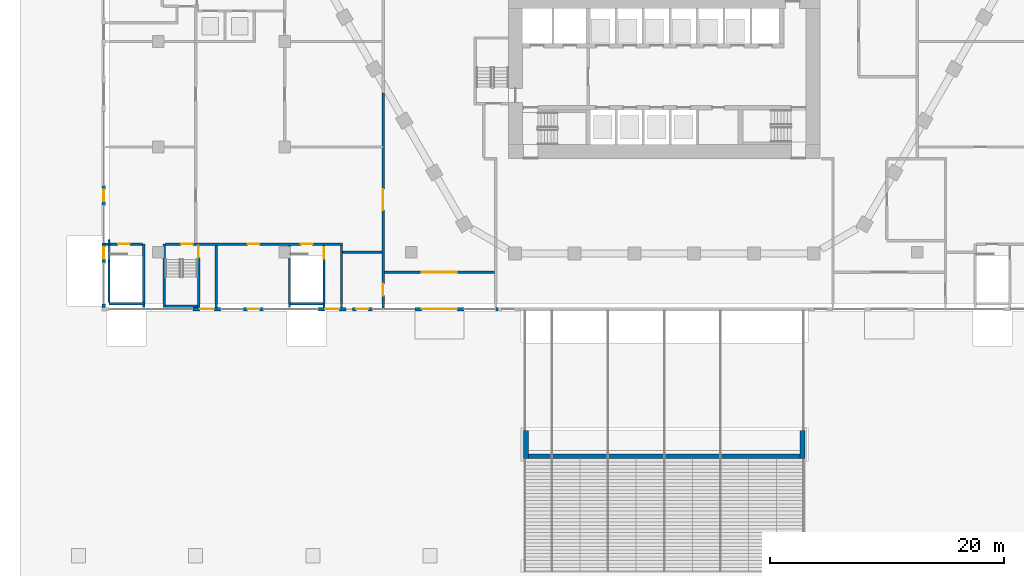
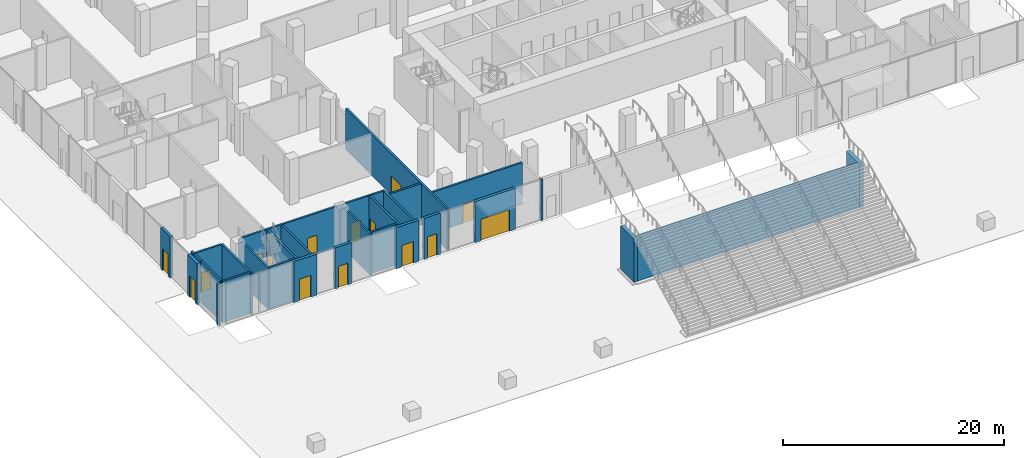
# One storey, part 20 of 57: 30 walls, 16 doors, 16 openings.
"""IFC4 building model written with IfcOpenShell, lengths in metres."""

from ifc_helpers import new_model, si_unit, direction, frame, frame_2d, origin, place, context, subcontext, project, spatial, rectangle, extrude, material, layer, layer_set, type_object, element, fill, save


model = new_model("IFC4")

# Units and contexts
model_context = context("Model", 3, precision=1e-05, world=origin(), true_north=direction((0.0, 1.0)))
body_context = subcontext(model_context, "Body", "Model", "MODEL_VIEW")
ifc_project = project(units=[si_unit("LENGTHUNIT", "METRE"), si_unit("AREAUNIT", "SQUARE_METRE"), si_unit("VOLUMEUNIT", "CUBIC_METRE"), si_unit("PLANEANGLEUNIT", "RADIAN"), si_unit("MASSUNIT", "GRAM", prefix="KILO")], contexts=[model_context])

# Site, building, storey
site_placement = place(None, origin())
site = spatial("IfcSite", under=ifc_project, at=site_placement, CompositionType="ELEMENT")
building_placement = place(site_placement, origin())
building = spatial("IfcBuilding", under=site, at=building_placement, Name="Beryl Residences", CompositionType="ELEMENT")
storey_placement = place(building_placement, origin())
storey = spatial("IfcBuildingStorey", under=building, at=storey_placement, Name="L00", CompositionType="ELEMENT", Elevation=0.0)

# Wall, opening, door
ifc_material_1 = material(Name="Composite metal panel with mineral wool insulation")
ifc_layer_1 = layer(ifc_material_1, 0.300048828125)
ifc_layer_set_1 = layer_set([ifc_layer_1], Name="ES1 pale metal composite panel wall 300 mm")
wall_type_1 = type_object("IfcWallType", Name="ES1 pale metal composite panel wall 300 mm", PredefinedType="SOLIDWALL", material=ifc_layer_set_1)
wall_1_placement = place(storey_placement, frame((-40.25, -31.85009765625, 0.0), z_axis=(0.0, 0.0, 1.0), x_axis=(1.0, 0.0, 0.0)))
wall_1 = element("IfcWall", 1, at=wall_1_placement, inside=storey, type_object=wall_type_1, Name="ES1 entrance wall L00 S", PredefinedType="SOLIDWALL", context=body_context, shape_type="SweptSolid", body=[
    extrude(rectangle(XDim=2.39990234375, YDim=0.300048828125, at=frame_2d((1.199951171875, 0.0))), origin(), (0.0, 0.0, 1.0), 4.550048828125),
])
opening_1_placement = place(wall_1_placement, frame((1.800048828125, 0.0, 0.0), z_axis=(0.0, 0.0, 1.0), x_axis=(-1.0, 0.0, 0.0)))
opening_1 = element("IfcOpeningElement", 2, at=opening_1_placement, cuts=wall_1, Name="Opening XD1", PredefinedType="OPENING", context=body_context, shape_type="SweptSolid", body=[
    extrude(rectangle(XDim=1.199951171875, YDim=2.39990234375, at=frame_2d((0.60009765625, 1.199951171875))), frame((0.0, 0.159912109375, 0.0), z_axis=(0.0, -1.0, 0.0), x_axis=(1.0, 0.0, 0.0)), (0.0, 0.0, 1.0), 0.320068359375),
])
ifc_material_2 = material(Name="Galvanised steel", Category="steel")
door_type_1 = type_object("IfcDoorType", Name="XD1 exit door 1200 x 2400 mm", OperationType="SINGLE_SWING_RIGHT", PredefinedType="DOOR", material=ifc_material_2)
door_1_placement = place(opening_1_placement, origin())
door_1 = element("IfcDoor", 3, at=door_1_placement, inside=storey, type_object=door_type_1, Name="XD1 exit door L00 S", OperationType="SINGLE_SWING_RIGHT", OverallHeight=2.39990234375, OverallWidth=1.199951171875, PredefinedType="DOOR", context=body_context, shape_type="SweptSolid", body=[
    extrude(rectangle(XDim=1.199951171875, YDim=2.39990234375, at=frame_2d((0.60009765625, 1.199951171875))), frame((0.0, 0.02490234375, 0.0), z_axis=(0.0, -1.0, 0.0), x_axis=(1.0, 0.0, 0.0)), (0.0, 0.0, 1.0), 0.050048828125),
])
fill(opening_1, door_1)

wall_2_placement = place(storey_placement, frame((-29.550048828125, -31.85009765625, 0.0), z_axis=(0.0, 0.0, 1.0), x_axis=(1.0, 0.0, 0.0)))
wall_2 = element("IfcWall", 4, at=wall_2_placement, inside=storey, type_object=wall_type_1, Name="ES1 entrance wall L00 S", PredefinedType="SOLIDWALL", context=body_context, shape_type="SweptSolid", body=[
    extrude(rectangle(XDim=2.400146484375, YDim=0.300048828125, at=frame_2d((1.2001953125, 0.0))), origin(), (0.0, 0.0, 1.0), 4.550048828125),
])
opening_2_placement = place(wall_2_placement, frame((1.800048828125, 0.0, 0.0), z_axis=(0.0, 0.0, 1.0), x_axis=(-1.0, 0.0, 0.0)))
opening_2 = element("IfcOpeningElement", 5, at=opening_2_placement, cuts=wall_2, Name="Opening XD1", PredefinedType="OPENING", context=body_context, shape_type="SweptSolid", body=[
    extrude(rectangle(XDim=1.199951171875, YDim=2.39990234375, at=frame_2d((0.60009765625, 1.199951171875))), frame((0.0, 0.159912109375, 0.0), z_axis=(0.0, -1.0, 0.0), x_axis=(1.0, 0.0, 0.0)), (0.0, 0.0, 1.0), 0.320068359375),
])
door_2_placement = place(opening_2_placement, origin())
door_2 = element("IfcDoor", 6, at=door_2_placement, inside=storey, type_object=door_type_1, Name="XD1 exit door L00 S", OperationType="SINGLE_SWING_RIGHT", OverallHeight=2.39990234375, OverallWidth=1.199951171875, PredefinedType="DOOR", context=body_context, shape_type="SweptSolid", body=[
    extrude(rectangle(XDim=1.199951171875, YDim=2.39990234375, at=frame_2d((0.60009765625, 1.199951171875))), frame((0.0, 0.02490234375, 0.0), z_axis=(0.0, -1.0, 0.0), x_axis=(1.0, 0.0, 0.0)), (0.0, 0.0, 1.0), 0.050048828125),
])
fill(opening_2, door_2)

wall_3_placement = place(storey_placement, frame((-21.300048828125, -31.85009765625, 0.0), z_axis=(0.0, 0.0, 1.0), x_axis=(1.0, 0.0, 0.0)))
wall_3 = element("IfcWall", 7, at=wall_3_placement, inside=storey, type_object=wall_type_1, Name="ES1 entrance wall L00 S", PredefinedType="SOLIDWALL", context=body_context, shape_type="SweptSolid", body=[
    extrude(rectangle(XDim=4.199951171875, YDim=0.300048828125, at=frame_2d((2.10009765625, 0.0))), origin(), (0.0, 0.0, 1.0), 4.550048828125),
])
opening_3_placement = place(wall_3_placement, frame((0.60009765625, 0.0, 0.0)))
opening_3 = element("IfcOpeningElement", 8, at=opening_3_placement, cuts=wall_3, Name="Opening ED1", PredefinedType="OPENING", context=body_context, shape_type="SweptSolid", body=[
    extrude(rectangle(XDim=3.0, YDim=2.39990234375, at=frame_2d((1.5, 1.199951171875))), frame((0.0, 0.159912109375, 0.0), z_axis=(0.0, -1.0, 0.0), x_axis=(1.0, 0.0, 0.0)), (0.0, 0.0, 1.0), 0.320068359375),
])
ifc_material_3 = material(Name="Aluminium and clear glass", Category="aluminium")
door_type_2 = type_object("IfcDoorType", Name="ED1 entrance sliding door 3000 x 2400 mm", OperationType="DOUBLE_DOOR_SLIDING", PredefinedType="DOOR", material=ifc_material_3)
door_3_placement = place(opening_3_placement, origin())
door_3 = element("IfcDoor", 9, at=door_3_placement, inside=storey, type_object=door_type_2, Name="ED1 entrance door L00 S", OperationType="DOUBLE_DOOR_SLIDING", OverallHeight=2.39990234375, OverallWidth=3.0, PredefinedType="DOOR", context=body_context, shape_type="SweptSolid", body=[
    extrude(rectangle(XDim=3.0, YDim=2.39990234375, at=frame_2d((1.5, 1.199951171875))), frame((0.0, 0.02490234375, 0.0), z_axis=(0.0, -1.0, 0.0), x_axis=(1.0, 0.0, 0.0)), (0.0, 0.0, 1.0), 0.050048828125),
])
fill(opening_3, door_3)

# Wall
wall_4_placement = place(storey_placement, frame((-14.39990234375, -31.85009765625, 0.0), z_axis=(0.0, 0.0, 1.0), x_axis=(1.0, 0.0, 0.0)))
element("IfcWall", 10, at=wall_4_placement, inside=storey, type_object=wall_type_1, Name="ES1 external wall L00 S 14", PredefinedType="SOLIDWALL", context=body_context, shape_type="SweptSolid", body=[
    extrude(rectangle(XDim=0.199951171875, YDim=0.300048828125, at=frame_2d((0.10009765625, 0.0))), origin(), (0.0, 0.0, 1.0), 4.550048828125),
])

# Wall, opening, door
wall_5_placement = place(storey_placement, frame((-47.85009765625, -26.199951171875, 0.0), z_axis=(0.0, 0.0, 1.0), x_axis=(0.0, -1.0, 0.0)))
wall_5 = element("IfcWall", 11, at=wall_5_placement, inside=storey, type_object=wall_type_1, Name="ES1 entrance wall L00 W", PredefinedType="SOLIDWALL", context=body_context, shape_type="SweptSolid", body=[
    extrude(rectangle(XDim=1.699951171875, YDim=0.300048828125, at=frame_2d((0.85009765625, 0.0))), origin(), (0.0, 0.0, 1.0), 4.550048828125),
])
opening_4_placement = place(wall_5_placement, frame((1.35009765625, 0.0, 0.0), z_axis=(0.0, 0.0, 1.0), x_axis=(-1.0, 0.0, 0.0)))
opening_4 = element("IfcOpeningElement", 12, at=opening_4_placement, cuts=wall_5, Name="Opening XD2", PredefinedType="OPENING", context=body_context, shape_type="SweptSolid", body=[
    extrude(rectangle(XDim=1.0, YDim=2.39990234375, at=frame_2d((0.5, 1.199951171875))), frame((0.0, 0.159912109375, 0.0), z_axis=(0.0, -1.0, 0.0), x_axis=(1.0, 0.0, 0.0)), (0.0, 0.0, 1.0), 0.320068359375),
])
ifc_material_4 = material(Name="Galvanised steel", Category="steel")
door_type_3 = type_object("IfcDoorType", Name="XD2 exit door 1000 x 2400 mm", OperationType="SINGLE_SWING_RIGHT", PredefinedType="DOOR", material=ifc_material_4)
door_4_placement = place(opening_4_placement, origin())
door_4 = element("IfcDoor", 13, at=door_4_placement, inside=storey, type_object=door_type_3, Name="XD2 exit door L00 W", OperationType="SINGLE_SWING_RIGHT", OverallHeight=2.39990234375, OverallWidth=1.0, PredefinedType="DOOR", context=body_context, shape_type="SweptSolid", body=[
    extrude(rectangle(XDim=1.0, YDim=2.39990234375, at=frame_2d((0.5, 1.199951171875))), frame((0.0, 0.02490234375, 0.0), z_axis=(0.0, -1.0, 0.0), x_axis=(1.0, 0.0, 0.0)), (0.0, 0.0, 1.0), 0.050048828125),
])
fill(opening_4, door_4)

# Wall
wall_6_placement = place(storey_placement, frame((-47.85009765625, -31.39990234375, 0.0), z_axis=(0.0, 0.0, 1.0), x_axis=(0.0, -1.0, 0.0)))
element("IfcWall", 14, at=wall_6_placement, inside=storey, type_object=wall_type_1, Name="ES1 external wall L00 W 23", PredefinedType="SOLIDWALL", context=body_context, shape_type="SweptSolid", body=[
    extrude(rectangle(XDim=0.300048828125, YDim=0.300048828125, at=frame_2d((0.14990234375, 0.0))), origin(), (0.0, 0.0, 1.0), 4.550048828125),
])

# Wall, opening, door
ifc_material_5 = material(Name="Aluminium framed insulated wall", Category="aluminium")
ifc_layer_2 = layer(ifc_material_5, 0.14990234375)
ifc_layer_set_2 = layer_set([ifc_layer_2], Name="GW1 glazed door wall 150 mm")
wall_type_2 = type_object("IfcWallType", Name="GW1 glazed door wall 150 mm", PredefinedType="SOLIDWALL", material=ifc_layer_set_2)
wall_7_placement = place(storey_placement, frame((-35.925048828125, -31.85009765625, 0.0), z_axis=(0.0, 0.0, 1.0), x_axis=(1.0, 0.0, 0.0)))
wall_7 = element("IfcWall", 15, at=wall_7_placement, inside=storey, type_object=wall_type_2, Name="GW1 shopfront door wall L00 S", PredefinedType="SOLIDWALL", context=body_context, shape_type="SweptSolid", body=[
    extrude(rectangle(XDim=1.699951171875, YDim=0.300048828125, at=frame_2d((0.85009765625, 0.0))), origin(), (0.0, 0.0, 1.0), 4.550048828125),
])
opening_5_placement = place(wall_7_placement, frame((1.35009765625, 0.0, 0.0), z_axis=(0.0, 0.0, 1.0), x_axis=(-1.0, 0.0, 0.0)))
opening_5 = element("IfcOpeningElement", 16, at=opening_5_placement, cuts=wall_7, Name="Opening ED4", PredefinedType="OPENING", context=body_context, shape_type="SweptSolid", body=[
    extrude(rectangle(XDim=1.0, YDim=2.39990234375, at=frame_2d((0.5, 1.199951171875))), frame((0.0, 0.159912109375, 0.0), z_axis=(0.0, -1.0, 0.0), x_axis=(1.0, 0.0, 0.0)), (0.0, 0.0, 1.0), 0.320068359375),
])
ifc_material_6 = material(Name="Aluminium and clear glass", Category="aluminium")
door_type_4 = type_object("IfcDoorType", Name="ED4 street door 1000 x 2400 mm", OperationType="SINGLE_SWING_RIGHT", PredefinedType="DOOR", material=ifc_material_6)
door_5_placement = place(opening_5_placement, origin())
door_5 = element("IfcDoor", 17, at=door_5_placement, inside=storey, type_object=door_type_4, Name="ED4 street door L00 S", OperationType="SINGLE_SWING_RIGHT", OverallHeight=2.39990234375, OverallWidth=1.0, PredefinedType="DOOR", context=body_context, shape_type="SweptSolid", body=[
    extrude(rectangle(XDim=1.0, YDim=2.39990234375, at=frame_2d((0.5, 1.199951171875))), frame((0.0, 0.02490234375, 0.0), z_axis=(0.0, -1.0, 0.0), x_axis=(1.0, 0.0, 0.0)), (0.0, 0.0, 1.0), 0.050048828125),
])
fill(opening_5, door_5)

wall_8_placement = place(storey_placement, frame((-26.625, -31.85009765625, 0.0), z_axis=(0.0, 0.0, 1.0), x_axis=(1.0, 0.0, 0.0)))
wall_8 = element("IfcWall", 18, at=wall_8_placement, inside=storey, type_object=wall_type_2, Name="GW1 shopfront door wall L00 S", PredefinedType="SOLIDWALL", context=body_context, shape_type="SweptSolid", body=[
    extrude(rectangle(XDim=1.699951171875, YDim=0.300048828125, at=frame_2d((0.85009765625, 0.0))), origin(), (0.0, 0.0, 1.0), 4.550048828125),
])
opening_6_placement = place(wall_8_placement, frame((1.35009765625, 0.0, 0.0), z_axis=(0.0, 0.0, 1.0), x_axis=(-1.0, 0.0, 0.0)))
opening_6 = element("IfcOpeningElement", 19, at=opening_6_placement, cuts=wall_8, Name="Opening ED4", PredefinedType="OPENING", context=body_context, shape_type="SweptSolid", body=[
    extrude(rectangle(XDim=1.0, YDim=2.39990234375, at=frame_2d((0.5, 1.199951171875))), frame((0.0, 0.159912109375, 0.0), z_axis=(0.0, -1.0, 0.0), x_axis=(1.0, 0.0, 0.0)), (0.0, 0.0, 1.0), 0.320068359375),
])
door_6_placement = place(opening_6_placement, origin())
door_6 = element("IfcDoor", 20, at=door_6_placement, inside=storey, type_object=door_type_4, Name="ED4 street door L00 S", OperationType="SINGLE_SWING_RIGHT", OverallHeight=2.39990234375, OverallWidth=1.0, PredefinedType="DOOR", context=body_context, shape_type="SweptSolid", body=[
    extrude(rectangle(XDim=1.0, YDim=2.39990234375, at=frame_2d((0.5, 1.199951171875))), frame((0.0, 0.02490234375, 0.0), z_axis=(0.0, -1.0, 0.0), x_axis=(1.0, 0.0, 0.0)), (0.0, 0.0, 1.0), 0.050048828125),
])
fill(opening_6, door_6)

wall_9_placement = place(storey_placement, frame((-47.85009765625, -21.300048828125, 0.0), z_axis=(0.0, 0.0, 1.0), x_axis=(0.0, -1.0, 0.0)))
wall_9 = element("IfcWall", 21, at=wall_9_placement, inside=storey, type_object=wall_type_2, Name="GW1 shopfront door wall L00 W", PredefinedType="SOLIDWALL", context=body_context, shape_type="SweptSolid", body=[
    extrude(rectangle(XDim=1.699951171875, YDim=0.300048828125, at=frame_2d((0.85009765625, 0.0))), origin(), (0.0, 0.0, 1.0), 4.550048828125),
])
opening_7_placement = place(wall_9_placement, frame((1.35009765625, 0.0, 0.0), z_axis=(0.0, 0.0, 1.0), x_axis=(-1.0, 0.0, 0.0)))
opening_7 = element("IfcOpeningElement", 22, at=opening_7_placement, cuts=wall_9, Name="Opening ED4", PredefinedType="OPENING", context=body_context, shape_type="SweptSolid", body=[
    extrude(rectangle(XDim=1.0, YDim=2.39990234375, at=frame_2d((0.5, 1.199951171875))), frame((0.0, 0.159912109375, 0.0), z_axis=(0.0, -1.0, 0.0), x_axis=(1.0, 0.0, 0.0)), (0.0, 0.0, 1.0), 0.320068359375),
])
door_7_placement = place(opening_7_placement, origin())
door_7 = element("IfcDoor", 23, at=door_7_placement, inside=storey, type_object=door_type_4, Name="ED4 street door L00 W", OperationType="SINGLE_SWING_RIGHT", OverallHeight=2.39990234375, OverallWidth=1.0, PredefinedType="DOOR", context=body_context, shape_type="SweptSolid", body=[
    extrude(rectangle(XDim=1.0, YDim=2.39990234375, at=frame_2d((0.5, 1.199951171875))), frame((0.0, 0.02490234375, 0.0), z_axis=(0.0, -1.0, 0.0), x_axis=(1.0, 0.0, 0.0)), (0.0, 0.0, 1.0), 0.050048828125),
])
fill(opening_7, door_7)

ifc_material_7 = material(Name="Double stud gypsum board wall")
ifc_layer_3 = layer(ifc_material_7, 0.199951171875)
ifc_layer_set_3 = layer_set([ifc_layer_3], Name="PT4 corridor wall 200 mm double stud")
wall_type_3 = type_object("IfcWallType", Name="PT4 corridor wall 200 mm double stud", PredefinedType="PARTITIONING", material=ifc_layer_set_3)
wall_10_placement = place(storey_placement, frame((-23.89990234375, -28.699951171875, 0.0), z_axis=(0.0, 0.0, 1.0), x_axis=(1.0, 0.0, 0.0)))
wall_10 = element("IfcWall", 24, at=wall_10_placement, inside=storey, type_object=wall_type_3, Name="Wall PT4 L00 001", PredefinedType="PARTITIONING", context=body_context, shape_type="SweptSolid", body=[
    extrude(rectangle(XDim=9.39990234375, YDim=0.199951171875, at=frame_2d((4.699951171875, 0.0))), origin(), (0.0, 0.0, 1.0), 4.550048828125),
])
opening_8_placement = place(wall_10_placement, frame((3.199951171875, 0.0, 0.0)))
opening_8 = element("IfcOpeningElement", 25, at=opening_8_placement, cuts=wall_10, Name="Opening ED2", PredefinedType="OPENING", context=body_context, shape_type="SweptSolid", body=[
    extrude(rectangle(XDim=3.0, YDim=2.10009765625, at=frame_2d((1.5, 1.050048828125))), frame((0.0, 0.10986328125, 0.0), z_axis=(0.0, -1.0, 0.0), x_axis=(1.0, 0.0, 0.0)), (0.0, 0.0, 1.0), 0.219970703125),
])
ifc_material_8 = material(Name="Glazed doors in aluminium frame", Category="aluminium")
door_type_5 = type_object("IfcDoorType", Name="GLD1 glazed double door 3000 x 2100 mm", OperationType="DOUBLE_DOOR_SINGLE_SWING", PredefinedType="DOOR", material=ifc_material_8)
door_8_placement = place(opening_8_placement, origin())
door_8 = element("IfcDoor", 26, at=door_8_placement, inside=storey, type_object=door_type_5, Name="Door ED2 L00 001", OperationType="DOUBLE_DOOR_SINGLE_SWING", OverallHeight=2.10009765625, OverallWidth=3.0, PredefinedType="DOOR", context=body_context, shape_type="SweptSolid", body=[
    extrude(rectangle(XDim=3.0, YDim=2.10009765625, at=frame_2d((1.5, 1.050048828125))), frame((0.0, 0.02490234375, 0.0), z_axis=(0.0, -1.0, 0.0), x_axis=(1.0, 0.0, 0.0)), (0.0, 0.0, 1.0), 0.050048828125),
])
fill(opening_8, door_8)

ifc_material_9 = material(Name="Concrete C40/50", Category="concrete")
ifc_layer_4 = layer(ifc_material_9, 0.199951171875)
ifc_layer_set_4 = layer_set([ifc_layer_4], Name="PT5 stair enclosure wall 200 mm reinforced concrete C40/50")
wall_type_4 = type_object("IfcWallType", Name="PT5 stair enclosure wall 200 mm reinforced concrete C40/50", PredefinedType="SOLIDWALL", material=ifc_layer_set_4)
wall_11_placement = place(storey_placement, frame((-47.699951171875, -26.300048828125, 0.0), z_axis=(0.0, 0.0, 1.0), x_axis=(1.0, 0.0, 0.0)))
wall_11 = element("IfcWall", 27, at=wall_11_placement, inside=storey, type_object=wall_type_4, Name="Wall PT5 L00 004", PredefinedType="SOLIDWALL", context=body_context, shape_type="SweptSolid", body=[
    extrude(rectangle(XDim=3.14990234375, YDim=0.199951171875, at=frame_2d((1.574951171875, 0.0))), origin(), (0.0, 0.0, 1.0), 4.550048828125),
])
opening_9_placement = place(wall_11_placement, frame((2.074951171875, 0.0, 0.0), z_axis=(0.0, 0.0, 1.0), x_axis=(-1.0, 0.0, 0.0)))
opening_9 = element("IfcOpeningElement", 28, at=opening_9_placement, cuts=wall_11, Name="Opening L00-49", PredefinedType="OPENING", context=body_context, shape_type="SweptSolid", body=[
    extrude(rectangle(XDim=1.0, YDim=2.10009765625, at=frame_2d((0.5, 1.050048828125))), frame((0.0, 0.10986328125, 0.0), z_axis=(0.0, -1.0, 0.0), x_axis=(1.0, 0.0, 0.0)), (0.0, 0.0, 1.0), 0.219970703125),
])
ifc_material_10 = material(Name="Steel door leaf in steel frame", Category="steel")
door_type_6 = type_object("IfcDoorType", Name="D15 stair door 1000 x 2100 mm", OperationType="SINGLE_SWING_LEFT", PredefinedType="DOOR", material=ifc_material_10)
door_9_placement = place(opening_9_placement, origin())
door_9 = element("IfcDoor", 29, at=door_9_placement, inside=storey, type_object=door_type_6, Name="Door L00-49 L00 001", OperationType="SINGLE_SWING_RIGHT", OverallHeight=2.10009765625, OverallWidth=1.0, PredefinedType="DOOR", context=body_context, shape_type="SweptSolid", body=[
    extrude(rectangle(XDim=1.0, YDim=2.10009765625, at=frame_2d((0.5, 1.050048828125))), frame((0.0, 0.02490234375, 0.0), z_axis=(0.0, -1.0, 0.0), x_axis=(1.0, 0.0, 0.0)), (0.0, 0.0, 1.0), 0.050048828125),
])
fill(opening_9, door_9)

# Wall, openings, doors
wall_12_placement = place(storey_placement, frame((-42.60009765625, -26.300048828125, 0.0), z_axis=(0.0, 0.0, 1.0), x_axis=(1.0, 0.0, 0.0)))
wall_12 = element("IfcWall", 30, at=wall_12_placement, inside=storey, type_object=wall_type_4, Name="Wall PT5 L00 005", PredefinedType="SOLIDWALL", context=body_context, shape_type="SweptSolid", body=[
    extrude(rectangle(XDim=15.150146484375, YDim=0.199951171875, at=frame_2d((7.5751953125, 0.0))), origin(), (0.0, 0.0, 1.0), 4.550048828125),
])
opening_10_placement = place(wall_12_placement, frame((8.02490234375, 0.0, 0.0), z_axis=(0.0, 0.0, 1.0), x_axis=(-1.0, 0.0, 0.0)))
opening_10 = element("IfcOpeningElement", 31, at=opening_10_placement, cuts=wall_12, Name="Opening L00-35", PredefinedType="OPENING", context=body_context, shape_type="SweptSolid", body=[
    extrude(rectangle(XDim=1.0, YDim=2.10009765625, at=frame_2d((0.5, 1.050048828125))), frame((0.0, 0.10986328125, 0.0), z_axis=(0.0, -1.0, 0.0), x_axis=(1.0, 0.0, 0.0)), (0.0, 0.0, 1.0), 0.219970703125),
])
opening_11_placement = place(wall_12_placement, frame((2.35400390625, 0.0, 0.0), z_axis=(0.0, 0.0, 1.0), x_axis=(-1.0, 0.0, 0.0)))
opening_11 = element("IfcOpeningElement", 32, at=opening_11_placement, cuts=wall_12, Name="Opening L00-43", PredefinedType="OPENING", context=body_context, shape_type="SweptSolid", body=[
    extrude(rectangle(XDim=1.0, YDim=2.10009765625, at=frame_2d((0.5, 1.050048828125))), frame((0.0, 0.10986328125, 0.0), z_axis=(0.0, -1.0, 0.0), x_axis=(1.0, 0.0, 0.0)), (0.0, 0.0, 1.0), 0.219970703125),
])
opening_12_placement = place(wall_12_placement, frame((12.574951171875, 0.0, 0.0), z_axis=(0.0, 0.0, 1.0), x_axis=(-1.0, 0.0, 0.0)))
opening_12 = element("IfcOpeningElement", 33, at=opening_12_placement, cuts=wall_12, Name="Opening L00-47", PredefinedType="OPENING", context=body_context, shape_type="SweptSolid", body=[
    extrude(rectangle(XDim=1.0, YDim=2.10009765625, at=frame_2d((0.5, 1.050048828125))), frame((0.0, 0.10986328125, 0.0), z_axis=(0.0, -1.0, 0.0), x_axis=(1.0, 0.0, 0.0)), (0.0, 0.0, 1.0), 0.219970703125),
])
door_10_placement = place(opening_11_placement, origin())
door_10 = element("IfcDoor", 34, at=door_10_placement, inside=storey, type_object=door_type_6, Name="Door L00-43 L00 001", OperationType="SINGLE_SWING_RIGHT", OverallHeight=2.10009765625, OverallWidth=1.0, PredefinedType="DOOR", context=body_context, shape_type="SweptSolid", body=[
    extrude(rectangle(XDim=1.0, YDim=2.10009765625, at=frame_2d((0.5, 1.050048828125))), frame((0.0, 0.02490234375, 0.0), z_axis=(0.0, -1.0, 0.0), x_axis=(1.0, 0.0, 0.0)), (0.0, 0.0, 1.0), 0.050048828125),
])
fill(opening_11, door_10)
door_11_placement = place(opening_12_placement, origin())
door_11 = element("IfcDoor", 35, at=door_11_placement, inside=storey, type_object=door_type_6, Name="Door L00-47 L00 001", OperationType="SINGLE_SWING_RIGHT", OverallHeight=2.10009765625, OverallWidth=1.0, PredefinedType="DOOR", context=body_context, shape_type="SweptSolid", body=[
    extrude(rectangle(XDim=1.0, YDim=2.10009765625, at=frame_2d((0.5, 1.050048828125))), frame((0.0, 0.02490234375, 0.0), z_axis=(0.0, -1.0, 0.0), x_axis=(1.0, 0.0, 0.0)), (0.0, 0.0, 1.0), 0.050048828125),
])
fill(opening_12, door_11)
ifc_material_11 = material(Name="Timber door leaf", Category="wood")
door_type_7 = type_object("IfcDoorType", Name="D9 corridor door 1000 x 2100 mm", OperationType="SINGLE_SWING_LEFT", PredefinedType="DOOR", material=ifc_material_11)
door_12_placement = place(opening_10_placement, origin())
door_12 = element("IfcDoor", 36, at=door_12_placement, inside=storey, type_object=door_type_7, Name="Door L00-35 L00 001", OperationType="SINGLE_SWING_RIGHT", OverallHeight=2.10009765625, OverallWidth=1.0, PredefinedType="DOOR", context=body_context, shape_type="SweptSolid", body=[
    extrude(rectangle(XDim=1.0, YDim=2.10009765625, at=frame_2d((0.5, 1.050048828125))), frame((0.0, 0.02490234375, 0.0), z_axis=(0.0, -1.0, 0.0), x_axis=(1.0, 0.0, 0.0)), (0.0, 0.0, 1.0), 0.050048828125),
])
fill(opening_10, door_12)

# Walls
for number, where, z_axis, x_axis, name in (
    (37, (-44.449951171875, -31.699951171875, 0.0), (0.0, 0.0, 1.0), (0.0, 1.0, 0.0), "Wall PT5 L00 023"),
    (38, (-42.699951171875, -31.699951171875, 0.0), (0.0, 0.0, 1.0), (0.0, 1.0, 0.0), "Wall PT5 L00 026"),
):
    element("IfcWall", number, at=place(storey_placement, frame(where, z_axis=z_axis, x_axis=x_axis)), inside=storey, type_object=wall_type_4, Name=name, PredefinedType="SOLIDWALL", context=body_context, shape_type="SweptSolid", body=[
        extrude(rectangle(XDim=5.39990234375, YDim=0.199951171875, at=frame_2d((2.699951171875, 0.0))), origin(), (0.0, 0.0, 1.0), 4.550048828125),
    ])

# Wall, opening, door
wall_13_placement = place(storey_placement, frame((-39.75, -31.699951171875, 0.0), z_axis=(0.0, 0.0, 1.0), x_axis=(0.0, 1.0, 0.0)))
wall_13 = element("IfcWall", 39, at=wall_13_placement, inside=storey, type_object=wall_type_4, Name="Wall PT5 L00 029", PredefinedType="SOLIDWALL", context=body_context, shape_type="SweptSolid", body=[
    extrude(rectangle(XDim=5.300048828125, YDim=0.199951171875, at=frame_2d((2.64990234375, 0.0))), origin(), (0.0, 0.0, 1.0), 4.550048828125),
])
opening_13_placement = place(wall_13_placement, frame((5.25, 0.0, 0.0), z_axis=(0.0, 0.0, 1.0), x_axis=(-1.0, 0.0, 0.0)))
opening_13 = element("IfcOpeningElement", 40, at=opening_13_placement, cuts=wall_13, Name="Opening L00-55", PredefinedType="OPENING", context=body_context, shape_type="SweptSolid", body=[
    extrude(rectangle(XDim=1.0, YDim=2.10009765625, at=frame_2d((0.5, 1.050048828125))), frame((0.0, 0.10986328125, 0.0), z_axis=(0.0, -1.0, 0.0), x_axis=(1.0, 0.0, 0.0)), (0.0, 0.0, 1.0), 0.219970703125),
])
door_13_placement = place(opening_13_placement, origin())
door_13 = element("IfcDoor", 41, at=door_13_placement, inside=storey, type_object=door_type_6, Name="Door L00-55 L00 001", OperationType="SINGLE_SWING_LEFT", OverallHeight=2.10009765625, OverallWidth=1.0, PredefinedType="DOOR", context=body_context, shape_type="SweptSolid", body=[
    extrude(rectangle(XDim=1.0, YDim=2.10009765625, at=frame_2d((0.5, 1.050048828125))), frame((0.0, 0.02490234375, 0.0), z_axis=(0.0, -1.0, 0.0), x_axis=(1.0, 0.0, 0.0)), (0.0, 0.0, 1.0), 0.050048828125),
])
fill(opening_13, door_13)

# Walls
for number, where, z_axis, x_axis, name in (
    (42, (-38.25, -31.699951171875, 0.0), (0.0, 0.0, 1.0), (0.0, 1.0, 0.0), "Wall PT5 L00 030"),
    (43, (-32.0, -31.699951171875, 0.0), (0.0, 0.0, 1.0), (0.0, 1.0, 0.0), "Wall PT5 L00 031"),
):
    element("IfcWall", number, at=place(storey_placement, frame(where, z_axis=z_axis, x_axis=x_axis)), inside=storey, type_object=wall_type_4, Name=name, PredefinedType="SOLIDWALL", context=body_context, shape_type="SweptSolid", body=[
        extrude(rectangle(XDim=5.300048828125, YDim=0.199951171875, at=frame_2d((2.64990234375, 0.0))), origin(), (0.0, 0.0, 1.0), 4.550048828125),
    ])

# Wall, opening, door
wall_14_placement = place(storey_placement, frame((-29.050048828125, -31.699951171875, 0.0), z_axis=(0.0, 0.0, 1.0), x_axis=(0.0, 1.0, 0.0)))
wall_14 = element("IfcWall", 44, at=wall_14_placement, inside=storey, type_object=wall_type_4, Name="Wall PT5 L00 032", PredefinedType="SOLIDWALL", context=body_context, shape_type="SweptSolid", body=[
    extrude(rectangle(XDim=5.300048828125, YDim=0.199951171875, at=frame_2d((2.64990234375, 0.0))), origin(), (0.0, 0.0, 1.0), 4.550048828125),
])
opening_14_placement = place(wall_14_placement, frame((5.14990234375, 0.0, 0.0), z_axis=(0.0, 0.0, 1.0), x_axis=(-1.0, 0.0, 0.0)))
opening_14 = element("IfcOpeningElement", 45, at=opening_14_placement, cuts=wall_14, Name="Opening L00-51", PredefinedType="OPENING", context=body_context, shape_type="SweptSolid", body=[
    extrude(rectangle(XDim=1.0, YDim=2.10009765625, at=frame_2d((0.5, 1.050048828125))), frame((0.0, 0.10986328125, 0.0), z_axis=(0.0, -1.0, 0.0), x_axis=(1.0, 0.0, 0.0)), (0.0, 0.0, 1.0), 0.219970703125),
])
door_14_placement = place(opening_14_placement, origin())
door_14 = element("IfcDoor", 46, at=door_14_placement, inside=storey, type_object=door_type_6, Name="Door L00-51 L00 001", OperationType="SINGLE_SWING_LEFT", OverallHeight=2.10009765625, OverallWidth=1.0, PredefinedType="DOOR", context=body_context, shape_type="SweptSolid", body=[
    extrude(rectangle(XDim=1.0, YDim=2.10009765625, at=frame_2d((0.5, 1.050048828125))), frame((0.0, 0.02490234375, 0.0), z_axis=(0.0, -1.0, 0.0), x_axis=(1.0, 0.0, 0.0)), (0.0, 0.0, 1.0), 0.050048828125),
])
fill(opening_14, door_14)

# Walls
wall_15_placement = place(storey_placement, frame((-27.550048828125, -31.699951171875, 0.0), z_axis=(0.0, 0.0, 1.0), x_axis=(0.0, 1.0, 0.0)))
element("IfcWall", 47, at=wall_15_placement, inside=storey, type_object=wall_type_4, Name="Wall PT5 L00 033", PredefinedType="SOLIDWALL", context=body_context, shape_type="SweptSolid", body=[
    extrude(rectangle(XDim=5.300048828125, YDim=0.199951171875, at=frame_2d((2.64990234375, 0.0))), origin(), (0.0, 0.0, 1.0), 4.550048828125),
])
wall_16_placement = place(storey_placement, frame((-47.39990234375, -31.300048828125, 0.0), z_axis=(0.0, 0.0, 1.0), x_axis=(0.0, 1.0, 0.0)))
element("IfcWall", 48, at=wall_16_placement, inside=storey, type_object=wall_type_4, Name="Wall PT5 L00 069", PredefinedType="SOLIDWALL", context=body_context, shape_type="SweptSolid", body=[
    extrude(rectangle(XDim=3.60009765625, YDim=0.199951171875, at=frame_2d((1.800048828125, 0.0))), origin(), (0.0, 0.0, 1.0), 4.550048828125),
])
wall_17_placement = place(storey_placement, frame((-47.39990234375, -26.39990234375, 0.0), z_axis=(0.0, 0.0, 1.0), x_axis=(0.0, 1.0, 0.0)))
element("IfcWall", 49, at=wall_17_placement, inside=storey, type_object=wall_type_4, Name="Wall PT5 L00 070", PredefinedType="SOLIDWALL", context=body_context, shape_type="SweptSolid", body=[
    extrude(rectangle(XDim=0.5, YDim=0.199951171875, at=frame_2d((0.25, 0.0))), origin(), (0.0, 0.0, 1.0), 4.550048828125),
])
wall_18_placement = place(storey_placement, frame((-47.39990234375, -27.699951171875, 2.300048828125), z_axis=(0.0, 0.0, 1.0), x_axis=(0.0, 1.0, 0.0)))
element("IfcWall", 50, at=wall_18_placement, inside=storey, type_object=wall_type_4, Name="Wall PT5 L00 071", PredefinedType="SOLIDWALL", context=body_context, shape_type="SweptSolid", body=[
    extrude(rectangle(XDim=1.300048828125, YDim=0.199951171875, at=frame_2d((0.64990234375, 0.0))), origin(), (0.0, 0.0, 1.0), 2.25),
])
wall_19_placement = place(storey_placement, frame((-47.39990234375, -31.39990234375, 0.0), z_axis=(0.0, 0.0, 1.0), x_axis=(1.0, 0.0, 0.0)))
element("IfcWall", 51, at=wall_19_placement, inside=storey, type_object=wall_type_4, Name="Wall PT5 L00 072", PredefinedType="SOLIDWALL", context=body_context, shape_type="SweptSolid", body=[
    extrude(rectangle(XDim=3.0498046875, YDim=0.199951171875, at=frame_2d((1.52490234375, 0.0))), origin(), (0.0, 0.0, 1.0), 4.550048828125),
])
for number, where, z_axis, x_axis, name in (
    (52, (-31.89990234375, -31.39990234375, 0.0), (0.0, 0.0, 1.0), (1.0, 0.0, 0.0), "Wall PT5 L00 073"),
    (53, (-42.60009765625, -31.60009765625, 0.0), (0.0, 0.0, 1.0), (1.0, 0.0, 0.0), "Wall PT5 L00 079"),
):
    element("IfcWall", number, at=place(storey_placement, frame(where, z_axis=z_axis, x_axis=x_axis)), inside=storey, type_object=wall_type_4, Name=name, PredefinedType="SOLIDWALL", context=body_context, shape_type="SweptSolid", body=[
        extrude(rectangle(XDim=2.75, YDim=0.199951171875, at=frame_2d((1.375, 0.0))), origin(), (0.0, 0.0, 1.0), 4.550048828125),
    ])
ifc_material_12 = material(Name="Concrete C40/50", Category="concrete")
ifc_layer_5 = layer(ifc_material_12, 0.199951171875)
ifc_layer_set_5 = layer_set([ifc_layer_5], Name="PT9-200 plant room wall 200 mm")
wall_type_5 = type_object("IfcWallType", Name="PT9-200 plant room wall 200 mm", PredefinedType="SOLIDWALL", material=ifc_layer_set_5)
wall_20_placement = place(storey_placement, frame((-27.449951171875, -27.0, 0.0), z_axis=(0.0, 0.0, 1.0), x_axis=(1.0, 0.0, 0.0)))
element("IfcWall", 54, at=wall_20_placement, inside=storey, type_object=wall_type_5, Name="Wall PT9-200 L00 001", PredefinedType="SOLIDWALL", context=body_context, shape_type="SweptSolid", body=[
    extrude(rectangle(XDim=3.349853515625, YDim=0.199951171875, at=frame_2d((1.6748046875, 0.0))), origin(), (0.0, 0.0, 1.0), 4.550048828125),
])

# Wall, openings, doors
wall_21_placement = place(storey_placement, frame((-24.0, -31.75, 0.0), z_axis=(0.0, 0.0, 1.0), x_axis=(0.0, 1.0, 0.0)))
wall_21 = element("IfcWall", 55, at=wall_21_placement, inside=storey, type_object=wall_type_5, Name="Wall PT9-200 L00 002", PredefinedType="SOLIDWALL", context=body_context, shape_type="SweptSolid", body=[
    extrude(rectangle(XDim=18.345947265625, YDim=0.199951171875, at=frame_2d((9.1728515625, 0.0))), origin(), (0.0, 0.0, 1.0), 4.550048828125),
])
opening_15_placement = place(wall_21_placement, frame((2.050048828125, 0.0, 0.0), z_axis=(0.0, 0.0, 1.0), x_axis=(-1.0, 0.0, 0.0)))
opening_15 = element("IfcOpeningElement", 56, at=opening_15_placement, cuts=wall_21, Name="Opening L00-03", PredefinedType="OPENING", context=body_context, shape_type="SweptSolid", body=[
    extrude(rectangle(XDim=1.0, YDim=2.10009765625, at=frame_2d((0.5, 1.050048828125))), frame((0.0, 0.10986328125, 0.0), z_axis=(0.0, -1.0, 0.0), x_axis=(1.0, 0.0, 0.0)), (0.0, 0.0, 1.0), 0.219970703125),
])
opening_16_placement = place(wall_21_placement, frame((8.35009765625, 0.0, 0.0)))
opening_16 = element("IfcOpeningElement", 57, at=opening_16_placement, cuts=wall_21, Name="Opening L00-58", PredefinedType="OPENING", context=body_context, shape_type="SweptSolid", body=[
    extrude(rectangle(XDim=1.800048828125, YDim=2.10009765625, at=frame_2d((0.89990234375, 1.050048828125))), frame((0.0, 0.10986328125, 0.0), z_axis=(0.0, -1.0, 0.0), x_axis=(1.0, 0.0, 0.0)), (0.0, 0.0, 1.0), 0.219970703125),
])
ifc_material_13 = material(Name="Steel door leaf in steel frame", Category="steel")
door_type_8 = type_object("IfcDoorType", Name="D16 plant room door 1000 x 2100 mm", OperationType="SINGLE_SWING_LEFT", PredefinedType="DOOR", material=ifc_material_13)
door_15_placement = place(opening_15_placement, origin())
door_15 = element("IfcDoor", 58, at=door_15_placement, inside=storey, type_object=door_type_8, Name="Door L00-03 L00 001", OperationType="SINGLE_SWING_RIGHT", OverallHeight=2.10009765625, OverallWidth=1.0, PredefinedType="DOOR", context=body_context, shape_type="SweptSolid", body=[
    extrude(rectangle(XDim=1.0, YDim=2.10009765625, at=frame_2d((0.5, 1.050048828125))), frame((0.0, 0.02490234375, 0.0), z_axis=(0.0, -1.0, 0.0), x_axis=(1.0, 0.0, 0.0)), (0.0, 0.0, 1.0), 0.050048828125),
])
fill(opening_15, door_15)
ifc_material_14 = material(Name="Timber door leaf", Category="wood")
door_type_9 = type_object("IfcDoorType", Name="D20 corridor door 1800 x 2100 mm", OperationType="DOUBLE_DOOR_SINGLE_SWING", PredefinedType="DOOR", material=ifc_material_14)
door_16_placement = place(opening_16_placement, origin())
door_16 = element("IfcDoor", 59, at=door_16_placement, inside=storey, type_object=door_type_9, Name="Door L00-58 L00 001", OperationType="DOUBLE_DOOR_SINGLE_SWING", OverallHeight=2.10009765625, OverallWidth=1.800048828125, PredefinedType="DOOR", context=body_context, shape_type="SweptSolid", body=[
    extrude(rectangle(XDim=1.800048828125, YDim=2.10009765625, at=frame_2d((0.89990234375, 1.050048828125))), frame((0.0, 0.02490234375, 0.0), z_axis=(0.0, -1.0, 0.0), x_axis=(1.0, 0.0, 0.0)), (0.0, 0.0, 1.0), 0.050048828125),
])
fill(opening_16, door_16)

# Walls
ifc_material_15 = material(Name="Precast concrete C40/50", Category="concrete")
ifc_layer_6 = layer(ifc_material_15, 0.39990234375)
ifc_layer_set_6 = layer_set([ifc_layer_6], Name="UW1 garden undercroft wall 400 mm")
wall_type_6 = type_object("IfcWallType", Name="UW1 garden undercroft wall 400 mm", PredefinedType="SOLIDWALL", material=ifc_layer_set_6)
wall_22_placement = place(storey_placement, frame((-11.60009765625, -44.39990234375, 0.0), z_axis=(0.0, 0.0, 1.0), x_axis=(1.0, 0.0, 0.0)))
element("IfcWall", 60, at=wall_22_placement, inside=storey, type_object=wall_type_6, Name="UW1 garden undercroft wall wall1", PredefinedType="SOLIDWALL", context=body_context, shape_type="SweptSolid", body=[
    extrude(rectangle(XDim=23.2001953125, YDim=0.39990234375, at=frame_2d((11.60009765625, 0.0))), origin(), (0.0, 0.0, 1.0), 4.800048828125),
])
for number, where, z_axis, x_axis, name in (
    (61, (-11.800048828125, -44.60009765625, 0.0), (0.0, 0.0, 1.0), (0.0, 1.0, 0.0), "UW1 garden undercroft wall wend-w1"),
    (62, (11.800048828125, -44.60009765625, 0.0), (0.0, 0.0, 1.0), (0.0, 1.0, 0.0), "UW1 garden undercroft wall wend-e1"),
):
    element("IfcWall", number, at=place(storey_placement, frame(where, z_axis=z_axis, x_axis=x_axis)), inside=storey, type_object=wall_type_6, Name=name, PredefinedType="SOLIDWALL", context=body_context, shape_type="SweptSolid", body=[
        extrude(rectangle(XDim=2.400146484375, YDim=0.39990234375, at=frame_2d((1.2001953125, 0.0))), origin(), (0.0, 0.0, 1.0), 4.800048828125),
    ])

save(model, "model.ifc")
